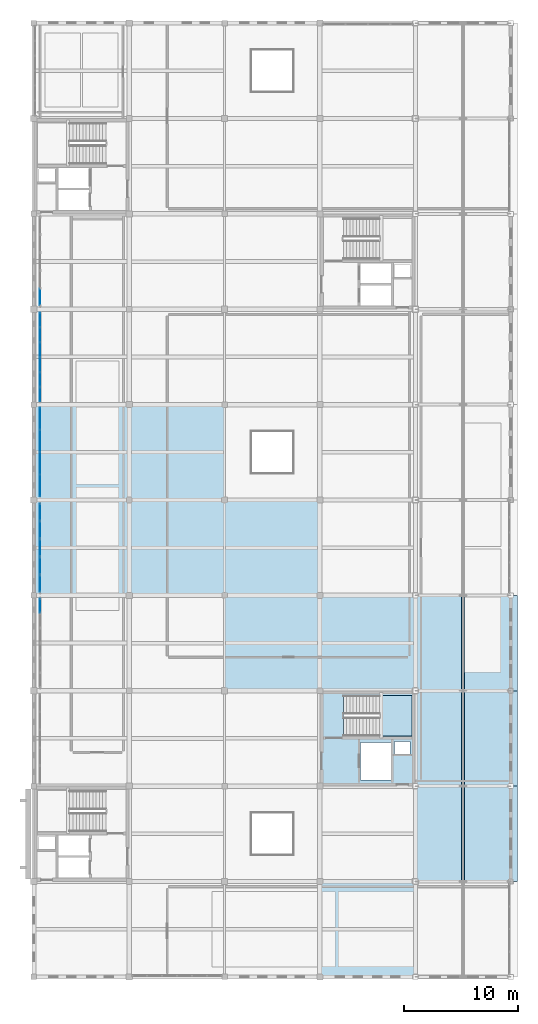
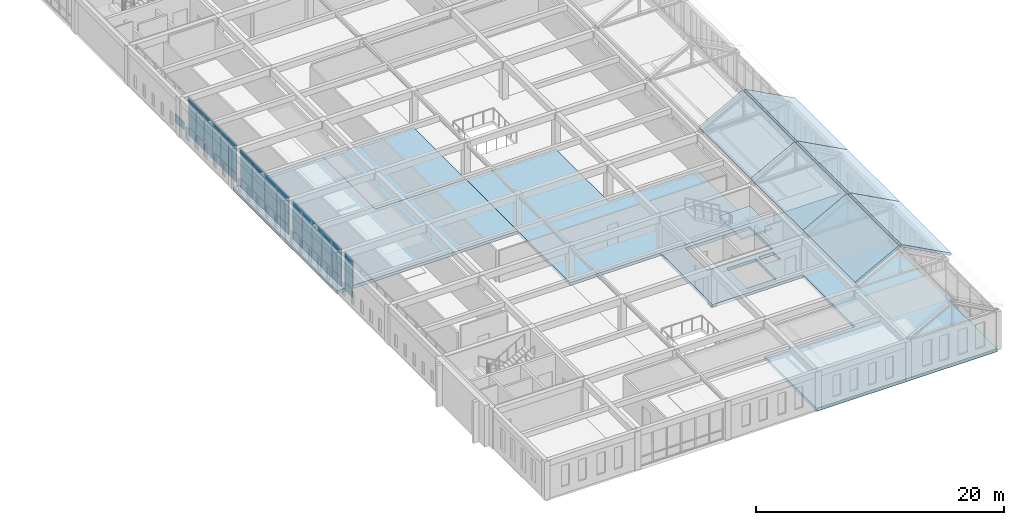
# One storey, part 20 of 36: 49 plates, 11 slabs, 6 elements without a shape of their own.
"""IFC4 building model written with IfcOpenShell, lengths in metres."""

from ifc_helpers import new_model, si_unit, direction, frame, origin, origin_2d, place, context, subcontext, project, spatial, polyline, rectangle, outline, extrude, material, layer, layer_set, type_object, element, aggregate, save


model = new_model("IFC4")

# Units and contexts
model_context = context("Model", 3, precision=1e-05, world=origin(), true_north=direction((0.0, 1.0)))
body_context = subcontext(model_context, "Body", "Model", "MODEL_VIEW")
ifc_project = project(units=[si_unit("LENGTHUNIT", "METRE"), si_unit("AREAUNIT", "SQUARE_METRE"), si_unit("VOLUMEUNIT", "CUBIC_METRE"), si_unit("PLANEANGLEUNIT", "RADIAN"), si_unit("MASSUNIT", "GRAM", prefix="KILO")], contexts=[model_context])

# Site, building, storey
site_placement = place(None, origin())
site = spatial("IfcSite", under=ifc_project, at=site_placement, CompositionType="ELEMENT")
building_placement = place(site_placement, origin())
building = spatial("IfcBuilding", under=site, at=building_placement, Name="Kveldsbrygga Polytechnic", CompositionType="ELEMENT")
storey_placement = place(building_placement, frame((0.0, 0.0, 22.10009765625)))
storey = spatial("IfcBuildingStorey", under=building, at=storey_placement, Name="L05", CompositionType="ELEMENT", Elevation=22.10009765625)

# Curtain wall, plates
ifc_material_1 = material(Name="Anodised aluminium AW-6060", Category="aluminium")
ifc_layer_1 = layer(ifc_material_1, 0.179931640625)
ifc_layer_set_1 = layer_set([ifc_layer_1], Name="Anodised aluminium AW-6060")
curtain_wall_type_1 = type_object("IfcCurtainWallType", Name="CW-LANC-D", PredefinedType="USERDEFINED", material=ifc_layer_set_1)
curtain_wall_1_placement = place(storey_placement, origin())
curtain_wall_1 = element("IfcCurtainWall", 1, at=curtain_wall_1_placement, inside=storey, type_object=curtain_wall_type_1, Name="Curtain Wall CW-L05-Y-15-06", ObjectType="UNITISED CURTAIN WALL", PredefinedType="USERDEFINED")
ifc_material_2 = material(Name="Insulated triple low-E glass", Category="glass")
ifc_layer_2 = layer(ifc_material_2, 0.035888671875)
ifc_layer_set_2 = layer_set([ifc_layer_2], Name="Insulated triple low-E glass")
plate_type_1 = type_object("IfcPlateType", Name="CW-PAN-VIS36", PredefinedType="CURTAIN_PANEL", material=ifc_layer_set_2)
plate_1_placement = place(storey_placement, frame((126.550048828125, 51.4443359375, 0.059814453125), z_axis=(0.0, 0.0, 1.0), x_axis=(0.0, 1.0, 0.0)))
plate_1 = element("IfcPlate", 2, at=plate_1_placement, type_object=plate_type_1, Name="CW-04 panel 1.1", PredefinedType="CURTAIN_PANEL", context=body_context, shape_type="SweptSolid", body=[
    extrude(rectangle(XDim=1.468505859375, YDim=0.035888671875, at=origin_2d()), origin(), (0.0, 0.0, 1.0), 0.81005859375),
])
plate_2_placement = place(storey_placement, frame((126.550048828125, 51.4443359375, 0.929931640625), z_axis=(0.0, 0.0, 1.0), x_axis=(0.0, 1.0, 0.0)))
plate_2 = element("IfcPlate", 3, at=plate_2_placement, type_object=plate_type_1, Name="CW-04 panel 1.2", PredefinedType="CURTAIN_PANEL", context=body_context, shape_type="SweptSolid", body=[
    extrude(rectangle(XDim=1.468505859375, YDim=0.035888671875, at=origin_2d()), origin(), (0.0, 0.0, 1.0), 2.27001953125),
])
plate_3_placement = place(storey_placement, frame((126.550048828125, 51.4443359375, 3.260009765625), z_axis=(0.0, 0.0, 1.0), x_axis=(0.0, 1.0, 0.0)))
plate_3 = element("IfcPlate", 4, at=plate_3_placement, type_object=plate_type_1, Name="CW-04 panel 1.3", PredefinedType="CURTAIN_PANEL", context=body_context, shape_type="SweptSolid", body=[
    extrude(rectangle(XDim=1.468505859375, YDim=0.035888671875, at=origin_2d()), origin(), (0.0, 0.0, 1.0), 0.4599609375),
])
plate_4_placement = place(storey_placement, frame((126.550048828125, 53.006591796875, 0.059814453125), z_axis=(0.0, 0.0, 1.0), x_axis=(0.0, 1.0, 0.0)))
plate_4 = element("IfcPlate", 5, at=plate_4_placement, type_object=plate_type_1, Name="CW-04 panel 2.1", PredefinedType="CURTAIN_PANEL", context=body_context, shape_type="SweptSolid", body=[
    extrude(rectangle(XDim=1.506103515625, YDim=0.035888671875, at=origin_2d()), origin(), (0.0, 0.0, 1.0), 0.81005859375),
])
plate_5_placement = place(storey_placement, frame((126.550048828125, 53.006591796875, 0.929931640625), z_axis=(0.0, 0.0, 1.0), x_axis=(0.0, 1.0, 0.0)))
plate_5 = element("IfcPlate", 6, at=plate_5_placement, type_object=plate_type_1, Name="CW-04 panel 2.2", PredefinedType="CURTAIN_PANEL", context=body_context, shape_type="SweptSolid", body=[
    extrude(rectangle(XDim=1.506103515625, YDim=0.035888671875, at=origin_2d()), origin(), (0.0, 0.0, 1.0), 2.27001953125),
])
plate_6_placement = place(storey_placement, frame((126.550048828125, 53.006591796875, 3.260009765625), z_axis=(0.0, 0.0, 1.0), x_axis=(0.0, 1.0, 0.0)))
plate_6 = element("IfcPlate", 7, at=plate_6_placement, type_object=plate_type_1, Name="CW-04 panel 2.3", PredefinedType="CURTAIN_PANEL", context=body_context, shape_type="SweptSolid", body=[
    extrude(rectangle(XDim=1.506103515625, YDim=0.035888671875, at=origin_2d()), origin(), (0.0, 0.0, 1.0), 0.4599609375),
])
plate_7_placement = place(storey_placement, frame((126.550048828125, 54.58740234375, 0.059814453125), z_axis=(0.0, 0.0, 1.0), x_axis=(0.0, 1.0, 0.0)))
plate_7 = element("IfcPlate", 8, at=plate_7_placement, type_object=plate_type_1, Name="CW-04 panel 3.1", PredefinedType="CURTAIN_PANEL", context=body_context, shape_type="SweptSolid", body=[
    extrude(rectangle(XDim=1.506103515625, YDim=0.035888671875, at=origin_2d()), origin(), (0.0, 0.0, 1.0), 0.81005859375),
])
plate_8_placement = place(storey_placement, frame((126.550048828125, 54.58740234375, 0.929931640625), z_axis=(0.0, 0.0, 1.0), x_axis=(0.0, 1.0, 0.0)))
plate_8 = element("IfcPlate", 9, at=plate_8_placement, type_object=plate_type_1, Name="CW-04 panel 3.2", PredefinedType="CURTAIN_PANEL", context=body_context, shape_type="SweptSolid", body=[
    extrude(rectangle(XDim=1.506103515625, YDim=0.035888671875, at=origin_2d()), origin(), (0.0, 0.0, 1.0), 2.27001953125),
])
plate_9_placement = place(storey_placement, frame((126.550048828125, 54.58740234375, 3.260009765625), z_axis=(0.0, 0.0, 1.0), x_axis=(0.0, 1.0, 0.0)))
plate_9 = element("IfcPlate", 10, at=plate_9_placement, type_object=plate_type_1, Name="CW-04 panel 3.3", PredefinedType="CURTAIN_PANEL", context=body_context, shape_type="SweptSolid", body=[
    extrude(rectangle(XDim=1.506103515625, YDim=0.035888671875, at=origin_2d()), origin(), (0.0, 0.0, 1.0), 0.4599609375),
])
plate_10_placement = place(storey_placement, frame((126.550048828125, 56.16845703125, 0.059814453125), z_axis=(0.0, 0.0, 1.0), x_axis=(0.0, 1.0, 0.0)))
plate_10 = element("IfcPlate", 11, at=plate_10_placement, type_object=plate_type_1, Name="CW-04 panel 4.1", PredefinedType="CURTAIN_PANEL", context=body_context, shape_type="SweptSolid", body=[
    extrude(rectangle(XDim=1.506103515625, YDim=0.035888671875, at=origin_2d()), origin(), (0.0, 0.0, 1.0), 0.81005859375),
])
plate_11_placement = place(storey_placement, frame((126.550048828125, 56.16845703125, 0.929931640625), z_axis=(0.0, 0.0, 1.0), x_axis=(0.0, 1.0, 0.0)))
plate_11 = element("IfcPlate", 12, at=plate_11_placement, type_object=plate_type_1, Name="CW-04 panel 4.2", PredefinedType="CURTAIN_PANEL", context=body_context, shape_type="SweptSolid", body=[
    extrude(rectangle(XDim=1.506103515625, YDim=0.035888671875, at=origin_2d()), origin(), (0.0, 0.0, 1.0), 2.27001953125),
])
plate_12_placement = place(storey_placement, frame((126.550048828125, 56.16845703125, 3.260009765625), z_axis=(0.0, 0.0, 1.0), x_axis=(0.0, 1.0, 0.0)))
plate_12 = element("IfcPlate", 13, at=plate_12_placement, type_object=plate_type_1, Name="CW-04 panel 4.3", PredefinedType="CURTAIN_PANEL", context=body_context, shape_type="SweptSolid", body=[
    extrude(rectangle(XDim=1.506103515625, YDim=0.035888671875, at=origin_2d()), origin(), (0.0, 0.0, 1.0), 0.4599609375),
])
plate_13_placement = place(storey_placement, frame((126.550048828125, 57.730712890625, 0.059814453125), z_axis=(0.0, 0.0, 1.0), x_axis=(0.0, 1.0, 0.0)))
plate_13 = element("IfcPlate", 14, at=plate_13_placement, type_object=plate_type_1, Name="CW-04 panel 5.1", PredefinedType="CURTAIN_PANEL", context=body_context, shape_type="SweptSolid", body=[
    extrude(rectangle(XDim=1.468505859375, YDim=0.035888671875, at=origin_2d()), origin(), (0.0, 0.0, 1.0), 0.81005859375),
])
plate_14_placement = place(storey_placement, frame((126.550048828125, 57.730712890625, 0.929931640625), z_axis=(0.0, 0.0, 1.0), x_axis=(0.0, 1.0, 0.0)))
plate_14 = element("IfcPlate", 15, at=plate_14_placement, type_object=plate_type_1, Name="CW-04 panel 5.2", PredefinedType="CURTAIN_PANEL", context=body_context, shape_type="SweptSolid", body=[
    extrude(rectangle(XDim=1.468505859375, YDim=0.035888671875, at=origin_2d()), origin(), (0.0, 0.0, 1.0), 2.27001953125),
])
plate_15_placement = place(storey_placement, frame((126.550048828125, 57.730712890625, 3.260009765625), z_axis=(0.0, 0.0, 1.0), x_axis=(0.0, 1.0, 0.0)))
plate_15 = element("IfcPlate", 16, at=plate_15_placement, type_object=plate_type_1, Name="CW-04 panel 5.3", PredefinedType="CURTAIN_PANEL", context=body_context, shape_type="SweptSolid", body=[
    extrude(rectangle(XDim=1.468505859375, YDim=0.035888671875, at=origin_2d()), origin(), (0.0, 0.0, 1.0), 0.4599609375),
])
aggregate(curtain_wall_1, [plate_1, plate_2, plate_3, plate_4, plate_5, plate_6, plate_7, plate_8, plate_9, plate_10, plate_11, plate_12, plate_13, plate_14, plate_15])

# Curtain wall, plate
ifc_layer_3 = layer(ifc_material_1, 0.18994140625)
ifc_layer_set_3 = layer_set([ifc_layer_3], Name="Anodised aluminium AW-6060")
curtain_wall_type_2 = type_object("IfcCurtainWallType", Name="CW-REFC-G", PredefinedType="USERDEFINED", material=ifc_layer_set_3)
curtain_wall_2_placement = place(storey_placement, origin())
curtain_wall_2 = element("IfcCurtainWall", 17, at=curtain_wall_2_placement, inside=storey, type_object=curtain_wall_type_2, Name="Curtain Wall CW-L05-Y-15-09", ObjectType="UNITISED CURTAIN WALL", PredefinedType="USERDEFINED")
plate_16_placement = place(storey_placement, frame((126.550048828125, 76.669189453125, 0.059814453125), z_axis=(0.0, 0.0, 1.0), x_axis=(0.0, 1.0, 0.0)))
plate_16 = element("IfcPlate", 18, at=plate_16_placement, type_object=plate_type_1, Name="CW-07 panel 1.1", PredefinedType="CURTAIN_PANEL", context=body_context, shape_type="SweptSolid", body=[
    extrude(rectangle(XDim=1.468505859375, YDim=0.035888671875, at=origin_2d()), origin(), (0.0, 0.0, 1.0), 0.81005859375),
])
aggregate(curtain_wall_2, [plate_16])

# Curtain wall, plates
ifc_layer_4 = layer(ifc_material_1, 0.199951171875)
ifc_layer_set_4 = layer_set([ifc_layer_4], Name="Anodised aluminium AW-6060")
curtain_wall_type_3 = type_object("IfcCurtainWallType", Name="CW-LANC-E", PredefinedType="USERDEFINED", material=ifc_layer_set_4)
curtain_wall_3_placement = place(storey_placement, origin())
curtain_wall_3 = element("IfcCurtainWall", 19, at=curtain_wall_3_placement, inside=storey, type_object=curtain_wall_type_3, Name="Curtain Wall CW-L05-Y-15-07", ObjectType="UNITISED CURTAIN WALL", PredefinedType="USERDEFINED")
ifc_layer_5 = layer(ifc_material_2, 0.0419921875)
ifc_layer_set_5 = layer_set([ifc_layer_5], Name="Insulated triple low-E glass")
plate_type_2 = type_object("IfcPlateType", Name="CW-PAN-VIS42", PredefinedType="CURTAIN_PANEL", material=ifc_layer_set_5)
plate_17_placement = place(storey_placement, frame((126.550048828125, 60.063232421875, 0.059814453125), z_axis=(0.0, 0.0, 1.0), x_axis=(0.0, 1.0, 0.0)))
plate_17 = element("IfcPlate", 20, at=plate_17_placement, type_object=plate_type_2, Name="CW-05 panel 1.1", PredefinedType="CURTAIN_PANEL", context=body_context, shape_type="SweptSolid", body=[
    extrude(rectangle(XDim=1.88623046875, YDim=0.0419921875, at=origin_2d()), origin(), (0.0, 0.0, 1.0), 0.81005859375),
])
plate_18_placement = place(storey_placement, frame((126.550048828125, 60.063232421875, 0.929931640625), z_axis=(0.0, 0.0, 1.0), x_axis=(0.0, 1.0, 0.0)))
plate_18 = element("IfcPlate", 21, at=plate_18_placement, type_object=plate_type_2, Name="CW-05 panel 1.2", PredefinedType="CURTAIN_PANEL", context=body_context, shape_type="SweptSolid", body=[
    extrude(rectangle(XDim=1.88623046875, YDim=0.0419921875, at=origin_2d()), origin(), (0.0, 0.0, 1.0), 2.27001953125),
])
plate_19_placement = place(storey_placement, frame((126.550048828125, 60.063232421875, 3.260009765625), z_axis=(0.0, 0.0, 1.0), x_axis=(0.0, 1.0, 0.0)))
plate_19 = element("IfcPlate", 22, at=plate_19_placement, type_object=plate_type_2, Name="CW-05 panel 1.3", PredefinedType="CURTAIN_PANEL", context=body_context, shape_type="SweptSolid", body=[
    extrude(rectangle(XDim=1.88623046875, YDim=0.0419921875, at=origin_2d()), origin(), (0.0, 0.0, 1.0), 0.4599609375),
])
plate_20_placement = place(storey_placement, frame((126.550048828125, 62.0244140625, 0.059814453125), z_axis=(0.0, 0.0, 1.0), x_axis=(0.0, 1.0, 0.0)))
plate_20 = element("IfcPlate", 23, at=plate_20_placement, type_object=plate_type_2, Name="CW-05 panel 2.1", PredefinedType="CURTAIN_PANEL", context=body_context, shape_type="SweptSolid", body=[
    extrude(rectangle(XDim=1.916259765625, YDim=0.0419921875, at=origin_2d()), origin(), (0.0, 0.0, 1.0), 0.81005859375),
])
plate_21_placement = place(storey_placement, frame((126.550048828125, 62.0244140625, 0.929931640625), z_axis=(0.0, 0.0, 1.0), x_axis=(0.0, 1.0, 0.0)))
plate_21 = element("IfcPlate", 24, at=plate_21_placement, type_object=plate_type_2, Name="CW-05 panel 2.2", PredefinedType="CURTAIN_PANEL", context=body_context, shape_type="SweptSolid", body=[
    extrude(rectangle(XDim=1.916259765625, YDim=0.0419921875, at=origin_2d()), origin(), (0.0, 0.0, 1.0), 2.27001953125),
])
plate_22_placement = place(storey_placement, frame((126.550048828125, 62.0244140625, 3.260009765625), z_axis=(0.0, 0.0, 1.0), x_axis=(0.0, 1.0, 0.0)))
plate_22 = element("IfcPlate", 25, at=plate_22_placement, type_object=plate_type_2, Name="CW-05 panel 2.3", PredefinedType="CURTAIN_PANEL", context=body_context, shape_type="SweptSolid", body=[
    extrude(rectangle(XDim=1.916259765625, YDim=0.0419921875, at=origin_2d()), origin(), (0.0, 0.0, 1.0), 0.4599609375),
])
plate_23_placement = place(storey_placement, frame((126.550048828125, 64.000732421875, 0.059814453125), z_axis=(0.0, 0.0, 1.0), x_axis=(0.0, 1.0, 0.0)))
plate_23 = element("IfcPlate", 26, at=plate_23_placement, type_object=plate_type_2, Name="CW-05 panel 3.1", PredefinedType="CURTAIN_PANEL", context=body_context, shape_type="SweptSolid", body=[
    extrude(rectangle(XDim=1.916259765625, YDim=0.0419921875, at=origin_2d()), origin(), (0.0, 0.0, 1.0), 0.81005859375),
])
plate_24_placement = place(storey_placement, frame((126.550048828125, 64.000732421875, 0.929931640625), z_axis=(0.0, 0.0, 1.0), x_axis=(0.0, 1.0, 0.0)))
plate_24 = element("IfcPlate", 27, at=plate_24_placement, type_object=plate_type_2, Name="CW-05 panel 3.2", PredefinedType="CURTAIN_PANEL", context=body_context, shape_type="SweptSolid", body=[
    extrude(rectangle(XDim=1.916259765625, YDim=0.0419921875, at=origin_2d()), origin(), (0.0, 0.0, 1.0), 2.27001953125),
])
plate_25_placement = place(storey_placement, frame((126.550048828125, 64.000732421875, 3.260009765625), z_axis=(0.0, 0.0, 1.0), x_axis=(0.0, 1.0, 0.0)))
plate_25 = element("IfcPlate", 28, at=plate_25_placement, type_object=plate_type_2, Name="CW-05 panel 3.3", PredefinedType="CURTAIN_PANEL", context=body_context, shape_type="SweptSolid", body=[
    extrude(rectangle(XDim=1.916259765625, YDim=0.0419921875, at=origin_2d()), origin(), (0.0, 0.0, 1.0), 0.4599609375),
])
plate_26_placement = place(storey_placement, frame((126.550048828125, 65.9619140625, 0.059814453125), z_axis=(0.0, 0.0, 1.0), x_axis=(0.0, 1.0, 0.0)))
plate_26 = element("IfcPlate", 29, at=plate_26_placement, type_object=plate_type_2, Name="CW-05 panel 4.1", PredefinedType="CURTAIN_PANEL", context=body_context, shape_type="SweptSolid", body=[
    extrude(rectangle(XDim=1.88623046875, YDim=0.0419921875, at=origin_2d()), origin(), (0.0, 0.0, 1.0), 0.81005859375),
])
plate_27_placement = place(storey_placement, frame((126.550048828125, 65.9619140625, 0.929931640625), z_axis=(0.0, 0.0, 1.0), x_axis=(0.0, 1.0, 0.0)))
plate_27 = element("IfcPlate", 30, at=plate_27_placement, type_object=plate_type_2, Name="CW-05 panel 4.2", PredefinedType="CURTAIN_PANEL", context=body_context, shape_type="SweptSolid", body=[
    extrude(rectangle(XDim=1.88623046875, YDim=0.0419921875, at=origin_2d()), origin(), (0.0, 0.0, 1.0), 2.27001953125),
])
plate_28_placement = place(storey_placement, frame((126.550048828125, 65.9619140625, 3.260009765625), z_axis=(0.0, 0.0, 1.0), x_axis=(0.0, 1.0, 0.0)))
plate_28 = element("IfcPlate", 31, at=plate_28_placement, type_object=plate_type_2, Name="CW-05 panel 4.3", PredefinedType="CURTAIN_PANEL", context=body_context, shape_type="SweptSolid", body=[
    extrude(rectangle(XDim=1.88623046875, YDim=0.0419921875, at=origin_2d()), origin(), (0.0, 0.0, 1.0), 0.4599609375),
])
aggregate(curtain_wall_3, [plate_17, plate_18, plate_19, plate_20, plate_21, plate_22, plate_23, plate_24, plate_25, plate_26, plate_27, plate_28])

ifc_layer_6 = layer(ifc_material_1, 0.159912109375)
ifc_layer_set_6 = layer_set([ifc_layer_6], Name="Anodised aluminium AW-6060")
curtain_wall_type_4 = type_object("IfcCurtainWallType", Name="CW-CLER-C", PredefinedType="USERDEFINED", material=ifc_layer_set_6)
curtain_wall_4_placement = place(storey_placement, origin())
curtain_wall_4 = element("IfcCurtainWall", 32, at=curtain_wall_4_placement, inside=storey, type_object=curtain_wall_type_4, Name="Curtain Wall CW-L05-Y-15-05", ObjectType="STICK CURTAIN WALL", PredefinedType="USERDEFINED")
ifc_layer_7 = layer(ifc_material_2, 0.048095703125)
ifc_layer_set_7 = layer_set([ifc_layer_7], Name="Insulated triple low-E glass")
plate_type_3 = type_object("IfcPlateType", Name="CW-PAN-VIS48", PredefinedType="CURTAIN_PANEL", material=ifc_layer_set_7)
plate_29_placement = place(storey_placement, frame((126.550048828125, 49.487548828125, 0.074951171875), z_axis=(0.0, 0.0, 1.0), x_axis=(0.0, 1.0, 0.0)))
plate_29 = element("IfcPlate", 33, at=plate_29_placement, type_object=plate_type_3, Name="CW-03 panel 6.1", PredefinedType="CURTAIN_PANEL", context=body_context, shape_type="SweptSolid", body=[
    extrude(rectangle(XDim=1.205078125, YDim=0.048095703125, at=origin_2d()), origin(), (0.0, 0.0, 1.0), 0.78759765625),
])
plate_30_placement = place(storey_placement, frame((126.550048828125, 49.487548828125, 0.9375), z_axis=(0.0, 0.0, 1.0), x_axis=(0.0, 1.0, 0.0)))
plate_30 = element("IfcPlate", 34, at=plate_30_placement, type_object=plate_type_3, Name="CW-03 panel 6.2", PredefinedType="CURTAIN_PANEL", context=body_context, shape_type="SweptSolid", body=[
    extrude(rectangle(XDim=1.205078125, YDim=0.048095703125, at=origin_2d()), origin(), (0.0, 0.0, 1.0), 2.2548828125),
])
plate_31_placement = place(storey_placement, frame((126.550048828125, 49.487548828125, 3.267333984375), z_axis=(0.0, 0.0, 1.0), x_axis=(0.0, 1.0, 0.0)))
plate_31 = element("IfcPlate", 35, at=plate_31_placement, type_object=plate_type_3, Name="CW-03 panel 6.3", PredefinedType="CURTAIN_PANEL", context=body_context, shape_type="SweptSolid", body=[
    extrude(rectangle(XDim=1.205078125, YDim=0.048095703125, at=origin_2d()), origin(), (0.0, 0.0, 1.0), 0.4375),
])
aggregate(curtain_wall_4, [plate_29, plate_30, plate_31])

ifc_layer_8 = layer(ifc_material_1, 0.169921875)
ifc_layer_set_8 = layer_set([ifc_layer_8], Name="Anodised aluminium AW-6060")
curtain_wall_type_5 = type_object("IfcCurtainWallType", Name="CW-FOYR-F", PredefinedType="USERDEFINED", material=ifc_layer_set_8)
curtain_wall_5_placement = place(storey_placement, origin())
curtain_wall_5 = element("IfcCurtainWall", 36, at=curtain_wall_5_placement, inside=storey, type_object=curtain_wall_type_5, Name="Curtain Wall CW-L05-Y-15-08", ObjectType="STICK CURTAIN WALL", PredefinedType="USERDEFINED")
plate_32_placement = place(storey_placement, frame((126.550048828125, 68.108642578125, 0.074951171875), z_axis=(0.0, 0.0, 1.0), x_axis=(0.0, 1.0, 0.0)))
plate_32 = element("IfcPlate", 37, at=plate_32_placement, type_object=plate_type_3, Name="CW-06 panel 1.1", PredefinedType="CURTAIN_PANEL", context=body_context, shape_type="SweptSolid", body=[
    extrude(rectangle(XDim=1.2275390625, YDim=0.048095703125, at=origin_2d()), origin(), (0.0, 0.0, 1.0), 0.78759765625),
])
plate_33_placement = place(storey_placement, frame((126.550048828125, 68.108642578125, 0.9375), z_axis=(0.0, 0.0, 1.0), x_axis=(0.0, 1.0, 0.0)))
plate_33 = element("IfcPlate", 38, at=plate_33_placement, type_object=plate_type_3, Name="CW-06 panel 1.2", PredefinedType="CURTAIN_PANEL", context=body_context, shape_type="SweptSolid", body=[
    extrude(rectangle(XDim=1.2275390625, YDim=0.048095703125, at=origin_2d()), origin(), (0.0, 0.0, 1.0), 2.2548828125),
])
plate_34_placement = place(storey_placement, frame((126.550048828125, 68.108642578125, 3.267333984375), z_axis=(0.0, 0.0, 1.0), x_axis=(0.0, 1.0, 0.0)))
plate_34 = element("IfcPlate", 39, at=plate_34_placement, type_object=plate_type_3, Name="CW-06 panel 1.3", PredefinedType="CURTAIN_PANEL", context=body_context, shape_type="SweptSolid", body=[
    extrude(rectangle(XDim=1.2275390625, YDim=0.048095703125, at=origin_2d()), origin(), (0.0, 0.0, 1.0), 0.4375),
])
plate_35_placement = place(storey_placement, frame((126.550048828125, 69.4111328125, 0.074951171875), z_axis=(0.0, 0.0, 1.0), x_axis=(0.0, 1.0, 0.0)))
plate_35 = element("IfcPlate", 40, at=plate_35_placement, type_object=plate_type_3, Name="CW-06 panel 2.1", PredefinedType="CURTAIN_PANEL", context=body_context, shape_type="SweptSolid", body=[
    extrude(rectangle(XDim=1.257568359375, YDim=0.048095703125, at=origin_2d()), origin(), (0.0, 0.0, 1.0), 0.78759765625),
])
plate_36_placement = place(storey_placement, frame((126.550048828125, 69.4111328125, 0.9375), z_axis=(0.0, 0.0, 1.0), x_axis=(0.0, 1.0, 0.0)))
plate_36 = element("IfcPlate", 41, at=plate_36_placement, type_object=plate_type_3, Name="CW-06 panel 2.2", PredefinedType="CURTAIN_PANEL", context=body_context, shape_type="SweptSolid", body=[
    extrude(rectangle(XDim=1.257568359375, YDim=0.048095703125, at=origin_2d()), origin(), (0.0, 0.0, 1.0), 2.2548828125),
])
plate_37_placement = place(storey_placement, frame((126.550048828125, 69.4111328125, 3.267333984375), z_axis=(0.0, 0.0, 1.0), x_axis=(0.0, 1.0, 0.0)))
plate_37 = element("IfcPlate", 42, at=plate_37_placement, type_object=plate_type_3, Name="CW-06 panel 2.3", PredefinedType="CURTAIN_PANEL", context=body_context, shape_type="SweptSolid", body=[
    extrude(rectangle(XDim=1.257568359375, YDim=0.048095703125, at=origin_2d()), origin(), (0.0, 0.0, 1.0), 0.4375),
])
plate_38_placement = place(storey_placement, frame((126.550048828125, 70.728759765625, 0.074951171875), z_axis=(0.0, 0.0, 1.0), x_axis=(0.0, 1.0, 0.0)))
plate_38 = element("IfcPlate", 43, at=plate_38_placement, type_object=plate_type_3, Name="CW-06 panel 3.1", PredefinedType="CURTAIN_PANEL", context=body_context, shape_type="SweptSolid", body=[
    extrude(rectangle(XDim=1.257568359375, YDim=0.048095703125, at=origin_2d()), origin(), (0.0, 0.0, 1.0), 0.78759765625),
])
plate_39_placement = place(storey_placement, frame((126.550048828125, 70.728759765625, 0.9375), z_axis=(0.0, 0.0, 1.0), x_axis=(0.0, 1.0, 0.0)))
plate_39 = element("IfcPlate", 44, at=plate_39_placement, type_object=plate_type_3, Name="CW-06 panel 3.2", PredefinedType="CURTAIN_PANEL", context=body_context, shape_type="SweptSolid", body=[
    extrude(rectangle(XDim=1.257568359375, YDim=0.048095703125, at=origin_2d()), origin(), (0.0, 0.0, 1.0), 2.2548828125),
])
plate_40_placement = place(storey_placement, frame((126.550048828125, 70.728759765625, 3.267333984375), z_axis=(0.0, 0.0, 1.0), x_axis=(0.0, 1.0, 0.0)))
plate_40 = element("IfcPlate", 45, at=plate_40_placement, type_object=plate_type_3, Name="CW-06 panel 3.3", PredefinedType="CURTAIN_PANEL", context=body_context, shape_type="SweptSolid", body=[
    extrude(rectangle(XDim=1.257568359375, YDim=0.048095703125, at=origin_2d()), origin(), (0.0, 0.0, 1.0), 0.4375),
])
plate_41_placement = place(storey_placement, frame((126.550048828125, 72.046142578125, 0.074951171875), z_axis=(0.0, 0.0, 1.0), x_axis=(0.0, 1.0, 0.0)))
plate_41 = element("IfcPlate", 46, at=plate_41_placement, type_object=plate_type_3, Name="CW-06 panel 4.1", PredefinedType="CURTAIN_PANEL", context=body_context, shape_type="SweptSolid", body=[
    extrude(rectangle(XDim=1.257568359375, YDim=0.048095703125, at=origin_2d()), origin(), (0.0, 0.0, 1.0), 0.78759765625),
])
plate_42_placement = place(storey_placement, frame((126.550048828125, 72.046142578125, 0.9375), z_axis=(0.0, 0.0, 1.0), x_axis=(0.0, 1.0, 0.0)))
plate_42 = element("IfcPlate", 47, at=plate_42_placement, type_object=plate_type_3, Name="CW-06 panel 4.2", PredefinedType="CURTAIN_PANEL", context=body_context, shape_type="SweptSolid", body=[
    extrude(rectangle(XDim=1.257568359375, YDim=0.048095703125, at=origin_2d()), origin(), (0.0, 0.0, 1.0), 2.2548828125),
])
plate_43_placement = place(storey_placement, frame((126.550048828125, 72.046142578125, 3.267333984375), z_axis=(0.0, 0.0, 1.0), x_axis=(0.0, 1.0, 0.0)))
plate_43 = element("IfcPlate", 48, at=plate_43_placement, type_object=plate_type_3, Name="CW-06 panel 4.3", PredefinedType="CURTAIN_PANEL", context=body_context, shape_type="SweptSolid", body=[
    extrude(rectangle(XDim=1.257568359375, YDim=0.048095703125, at=origin_2d()), origin(), (0.0, 0.0, 1.0), 0.4375),
])
plate_44_placement = place(storey_placement, frame((126.550048828125, 73.36376953125, 0.074951171875), z_axis=(0.0, 0.0, 1.0), x_axis=(0.0, 1.0, 0.0)))
plate_44 = element("IfcPlate", 49, at=plate_44_placement, type_object=plate_type_3, Name="CW-06 panel 5.1", PredefinedType="CURTAIN_PANEL", context=body_context, shape_type="SweptSolid", body=[
    extrude(rectangle(XDim=1.257568359375, YDim=0.048095703125, at=origin_2d()), origin(), (0.0, 0.0, 1.0), 0.78759765625),
])
plate_45_placement = place(storey_placement, frame((126.550048828125, 73.36376953125, 0.9375), z_axis=(0.0, 0.0, 1.0), x_axis=(0.0, 1.0, 0.0)))
plate_45 = element("IfcPlate", 50, at=plate_45_placement, type_object=plate_type_3, Name="CW-06 panel 5.2", PredefinedType="CURTAIN_PANEL", context=body_context, shape_type="SweptSolid", body=[
    extrude(rectangle(XDim=1.257568359375, YDim=0.048095703125, at=origin_2d()), origin(), (0.0, 0.0, 1.0), 2.2548828125),
])
plate_46_placement = place(storey_placement, frame((126.550048828125, 73.36376953125, 3.267333984375), z_axis=(0.0, 0.0, 1.0), x_axis=(0.0, 1.0, 0.0)))
plate_46 = element("IfcPlate", 51, at=plate_46_placement, type_object=plate_type_3, Name="CW-06 panel 5.3", PredefinedType="CURTAIN_PANEL", context=body_context, shape_type="SweptSolid", body=[
    extrude(rectangle(XDim=1.257568359375, YDim=0.048095703125, at=origin_2d()), origin(), (0.0, 0.0, 1.0), 0.4375),
])
plate_47_placement = place(storey_placement, frame((126.550048828125, 74.666259765625, 0.074951171875), z_axis=(0.0, 0.0, 1.0), x_axis=(0.0, 1.0, 0.0)))
plate_47 = element("IfcPlate", 52, at=plate_47_placement, type_object=plate_type_3, Name="CW-06 panel 6.1", PredefinedType="CURTAIN_PANEL", context=body_context, shape_type="SweptSolid", body=[
    extrude(rectangle(XDim=1.2275390625, YDim=0.048095703125, at=origin_2d()), origin(), (0.0, 0.0, 1.0), 0.78759765625),
])
plate_48_placement = place(storey_placement, frame((126.550048828125, 74.666259765625, 0.9375), z_axis=(0.0, 0.0, 1.0), x_axis=(0.0, 1.0, 0.0)))
plate_48 = element("IfcPlate", 53, at=plate_48_placement, type_object=plate_type_3, Name="CW-06 panel 6.2", PredefinedType="CURTAIN_PANEL", context=body_context, shape_type="SweptSolid", body=[
    extrude(rectangle(XDim=1.2275390625, YDim=0.048095703125, at=origin_2d()), origin(), (0.0, 0.0, 1.0), 2.2548828125),
])
plate_49_placement = place(storey_placement, frame((126.550048828125, 74.666259765625, 3.267333984375), z_axis=(0.0, 0.0, 1.0), x_axis=(0.0, 1.0, 0.0)))
plate_49 = element("IfcPlate", 54, at=plate_49_placement, type_object=plate_type_3, Name="CW-06 panel 6.3", PredefinedType="CURTAIN_PANEL", context=body_context, shape_type="SweptSolid", body=[
    extrude(rectangle(XDim=1.2275390625, YDim=0.048095703125, at=origin_2d()), origin(), (0.0, 0.0, 1.0), 0.4375),
])
aggregate(curtain_wall_5, [plate_32, plate_33, plate_34, plate_35, plate_36, plate_37, plate_38, plate_39, plate_40, plate_41, plate_42, plate_43, plate_44, plate_45, plate_46, plate_47, plate_48, plate_49])

# Slabs
ifc_material_3 = material(Name="Concrete C35/45", Category="concrete")
ifc_layer_9 = layer(ifc_material_3, 0.300048828125)
ifc_layer_set_9 = layer_set([ifc_layer_9], Name="Concrete C35/45")
slab_type_1 = type_object("IfcSlabType", Name="SLB-LAB-300", PredefinedType="FLOOR", material=ifc_layer_set_9)
slab_1_placement = place(storey_placement, frame((0.0, 0.0, -0.300048828125)))
element("IfcSlab", 55, at=slab_1_placement, inside=storey, type_object=slab_type_1, Name="Slab SLB-L05-V4-L02-1", PredefinedType="FLOOR", context=body_context, shape_type="SweptSolid", body=[
    extrude(outline(polyline([(126.0, 50.39990234375), (126.0, 58.800048828125), (126.0, 67.199951171875), (134.39990234375, 67.199951171875), (134.39990234375, 58.800048828125), (142.800048828125, 58.800048828125), (142.800048828125, 50.39990234375), (134.39990234375, 50.39990234375), (126.0, 50.39990234375)])), origin(), (0.0, 0.0, 1.0), 0.300048828125),
])
slab_2_placement = place(storey_placement, frame((0.0, 0.0, -0.300048828125)))
element("IfcSlab", 56, at=slab_2_placement, inside=storey, type_object=slab_type_1, Name="Slab SLB-L05-V4-L07-1", PredefinedType="FLOOR", context=body_context, shape_type="SweptSolid", body=[
    extrude(outline(polyline([(142.800048828125, 42.0), (142.800048828125, 50.39990234375), (142.800048828125, 58.800048828125), (151.199951171875, 58.800048828125), (151.199951171875, 50.39990234375), (159.60009765625, 50.39990234375), (159.60009765625, 42.0), (151.199951171875, 42.0), (142.800048828125, 42.0)])), origin(), (0.0, 0.0, 1.0), 0.300048828125),
])
slab_3_placement = place(storey_placement, frame((0.0, 0.0, -0.300048828125)))
element("IfcSlab", 57, at=slab_3_placement, inside=storey, type_object=slab_type_1, Name="Slab SLB-L05-V4-Z3-2", PredefinedType="FLOOR", context=body_context, shape_type="SweptSolid", body=[
    extrude(outline(polyline([(159.60009765625, 25.199951171875), (159.60009765625, 33.60009765625), (151.199951171875, 33.60009765625), (151.199951171875, 42.0), (159.60009765625, 42.0), (168.0, 42.0), (168.0, 33.60009765625), (168.0, 25.199951171875), (168.0, 16.800048828125), (159.60009765625, 16.800048828125), (151.199951171875, 16.800048828125), (151.199951171875, 25.199951171875), (159.60009765625, 25.199951171875)]), holes=[polyline([(153.27490234375, 38.0), (159.300048828125, 38.0), (159.300048828125, 41.60009765625), (153.27490234375, 41.60009765625), (153.27490234375, 38.0)]), polyline([(154.75, 34.14990234375), (157.449951171875, 34.14990234375), (157.449951171875, 37.449951171875), (154.75, 37.449951171875), (154.75, 34.14990234375)]), polyline([(157.75, 36.449951171875), (159.14990234375, 36.449951171875), (159.14990234375, 37.550048828125), (157.75, 37.550048828125), (157.75, 36.449951171875)])]), origin(), (0.0, 0.0, 1.0), 0.300048828125),
])
slab_4_placement = place(storey_placement, frame((0.0, 0.0, -0.300048828125)))
element("IfcSlab", 58, at=slab_4_placement, inside=storey, type_object=slab_type_1, Name="Slab SLB-L05-V4-Z6-3", PredefinedType="FLOOR", context=body_context, shape_type="SweptSolid", body=[
    extrude(outline(polyline([(142.800048828125, 58.800048828125), (134.39990234375, 58.800048828125), (134.39990234375, 67.199951171875), (142.800048828125, 67.199951171875), (142.800048828125, 58.800048828125)])), origin(), (0.0, 0.0, 1.0), 0.300048828125),
])

# Stair, slab
stair_type = type_object("IfcStairType", Name="STR-CORE-408", PredefinedType="HALF_TURN_STAIR", material=ifc_material_3)
stair_placement = place(storey_placement, origin())
stair = element("IfcStair", 59, at=stair_placement, inside=storey, type_object=stair_type, Name="L05 Core C3 Escape Stair ST-3", PredefinedType="HALF_TURN_STAIR")
ifc_layer_10 = layer(ifc_material_3, 0.199951171875)
ifc_layer_set_10 = layer_set([ifc_layer_10], Name="Concrete C35/45")
slab_type_2 = type_object("IfcSlabType", Name="SLB-LANDING-200", PredefinedType="LANDING", material=ifc_layer_set_10)
slab_5_placement = place(storey_placement, frame((0.0, 0.0, 1.83984375)))
slab_5 = element("IfcSlab", 60, at=slab_5_placement, type_object=slab_type_2, Name="ST-3 landing 1", PredefinedType="LANDING", context=body_context, shape_type="SweptSolid", body=[
    extrude(outline(polyline([(156.43994140625, 38.0), (159.300048828125, 38.0), (159.300048828125, 41.60009765625), (156.43994140625, 41.60009765625), (156.43994140625, 38.0)])), origin(), (0.0, 0.0, 1.0), 0.199951171875),
])
aggregate(stair, [slab_5])

# Slabs
ifc_layer_11 = layer(ifc_material_3, 0.219970703125)
ifc_layer_set_11 = layer_set([ifc_layer_11], Name="Concrete C35/45")
slab_type_3 = type_object("IfcSlabType", Name="SLB-ROOF-220", PredefinedType="ROOF", material=ifc_layer_set_11)
slab_6_placement = place(storey_placement, frame((159.60009765625, 25.199951171875, 4.37548828125), z_axis=(-0.472231668725, 0.0, 0.881474475554), x_axis=(0.881474475554, 0.0, 0.472231668725)))
element("IfcSlab", 61, at=slab_6_placement, inside=storey, type_object=slab_type_3, Name="Pitched Roof Slab V4E6-RSLB-2-1", PredefinedType="ROOF", context=body_context, shape_type="SweptSolid", body=[
    extrude(outline(polyline([(0.0, 0.0), (4.623988382434193, 0.0), (4.623988382434193, 8.400146484375), (0.0, 8.400146484375), (0.0, 0.0)])), origin(), (0.0, 0.0, -1.0), 0.219970703125),
])
slab_7_placement = place(storey_placement, frame((163.923828125, 25.199951171875, 6.55908203125), z_axis=(0.472218858339, 0.0, 0.881481338333), x_axis=(0.881481338333, 0.0, -0.472218858339)))
element("IfcSlab", 62, at=slab_7_placement, inside=storey, type_object=slab_type_3, Name="Pitched Roof Slab V4E6-RSLB-2-2", PredefinedType="ROOF", context=body_context, shape_type="SweptSolid", body=[
    extrude(outline(polyline([(0.0, 0.0), (5.305012514610163, 0.0), (5.305012514610163, 8.400146484375), (0.0, 8.400146484375), (0.0, 0.0)])), origin(), (0.0, 0.0, -1.0), 0.219970703125),
])
slab_8_placement = place(storey_placement, frame((159.60009765625, 33.60009765625, 4.37548828125), z_axis=(-0.472231668725, 0.0, 0.881474475554), x_axis=(0.881474475554, 0.0, 0.472231668725)))
element("IfcSlab", 63, at=slab_8_placement, inside=storey, type_object=slab_type_3, Name="Pitched Roof Slab V4E6-RSLB-3-1", PredefinedType="ROOF", context=body_context, shape_type="SweptSolid", body=[
    extrude(outline(polyline([(0.0, 0.0), (4.623988382434193, 0.0), (4.623988382434193, 8.39990234375), (0.0, 8.39990234375), (0.0, 0.0)])), origin(), (0.0, 0.0, -1.0), 0.219970703125),
])
slab_9_placement = place(storey_placement, frame((163.923828125, 33.60009765625, 6.55908203125), z_axis=(0.472218858339, 0.0, 0.881481338333), x_axis=(0.881481338333, 0.0, -0.472218858339)))
element("IfcSlab", 64, at=slab_9_placement, inside=storey, type_object=slab_type_3, Name="Pitched Roof Slab V4E6-RSLB-3-2", PredefinedType="ROOF", context=body_context, shape_type="SweptSolid", body=[
    extrude(outline(polyline([(0.0, 0.0), (5.305012514610163, 0.0), (5.305012514610163, 8.39990234375), (0.0, 8.39990234375), (0.0, 0.0)])), origin(), (0.0, 0.0, -1.0), 0.219970703125),
])
slab_10_placement = place(storey_placement, frame((159.60009765625, 42.0, 4.37548828125), z_axis=(-0.472231668725, 0.0, 0.881474475554), x_axis=(0.881474475554, 0.0, 0.472231668725)))
element("IfcSlab", 65, at=slab_10_placement, inside=storey, type_object=slab_type_3, Name="Pitched Roof Slab V4E6-RSLB-4-1", PredefinedType="ROOF", context=body_context, shape_type="SweptSolid", body=[
    extrude(outline(polyline([(0.0, 0.0), (4.623988382434193, 0.0), (4.623988382434193, 8.39990234375), (0.0, 8.39990234375), (0.0, 0.0)])), origin(), (0.0, 0.0, -1.0), 0.219970703125),
])
slab_11_placement = place(storey_placement, frame((163.923828125, 42.0, 6.55908203125), z_axis=(0.472218858339, 0.0, 0.881481338333), x_axis=(0.881481338333, 0.0, -0.472218858339)))
element("IfcSlab", 66, at=slab_11_placement, inside=storey, type_object=slab_type_3, Name="Pitched Roof Slab V4E6-RSLB-4-2", PredefinedType="ROOF", context=body_context, shape_type="SweptSolid", body=[
    extrude(outline(polyline([(0.0, 0.0), (5.305012514610163, 0.0), (5.305012514610163, 8.39990234375), (0.0, 8.39990234375), (0.0, 0.0)])), origin(), (0.0, 0.0, -1.0), 0.219970703125),
])

save(model, "model.ifc")
